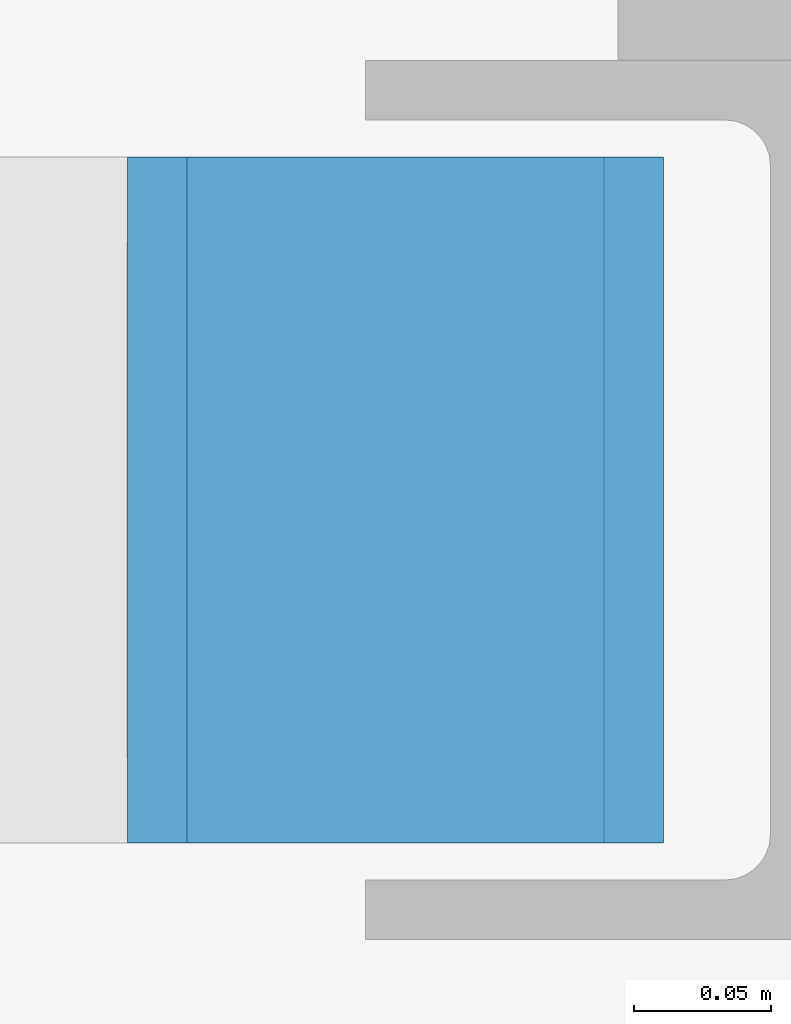
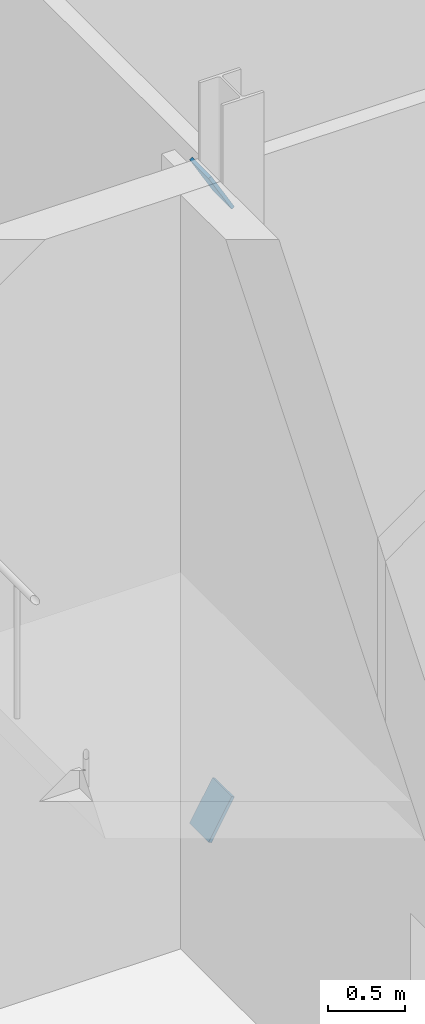
# One storey, part 122 of 139: 2 discrete accessories.
"""IFC4 building model written with IfcOpenShell, lengths in metres."""

from ifc_helpers import new_model, si_unit, direction, frame, origin, place, context, subcontext, project, spatial, polyline, outline, extrude, material, layer, layer_set, type_object, element, save


model = new_model("IFC4")

# Units and contexts
model_context = context("Model", 3, precision=1e-05, world=origin(), true_north=direction((0.0, 1.0)))
body_context = subcontext(model_context, "Body", "Model", "MODEL_VIEW")
ifc_project = project(units=[si_unit("LENGTHUNIT", "METRE"), si_unit("AREAUNIT", "SQUARE_METRE"), si_unit("VOLUMEUNIT", "CUBIC_METRE"), si_unit("PLANEANGLEUNIT", "RADIAN"), si_unit("MASSUNIT", "GRAM", prefix="KILO")], contexts=[model_context])

# Site, building, storey
site_placement = place(None, origin())
site = spatial("IfcSite", under=ifc_project, at=site_placement, CompositionType="ELEMENT")
building_placement = place(site_placement, origin())
building = spatial("IfcBuilding", under=site, at=building_placement, Name="Shorebreak Coast Museum", CompositionType="ELEMENT")
storey_placement = place(building_placement, origin())
storey = spatial("IfcBuildingStorey", under=building, at=storey_placement, Name="L00", CompositionType="ELEMENT", Elevation=0.0)

# Discrete accessories
ifc_material = material(Name="Steel Grade 300", Category="steel")
ifc_layer = layer(ifc_material, 0.02490234375)
ifc_layer_set = layer_set([ifc_layer], Name="Steel Grade 300")
discrete_accessory_type = type_object("IfcDiscreteAccessoryType", Name="End plate 250 x 350 x 25", PredefinedType="BRACKET", material=ifc_layer_set)
for number, where, z_axis, x_axis, name in (
    (1, (62.9541015625, 35.875, 5.135498046875), (0.86789946656, 0.0, 0.496739887613), (0.0, 1.0, 0.0), "End plate X-brace bay 16 L00 diagonal 1 end 2"),
    (2, (62.758544921875, 36.125, 0.148193359375), (-0.86789946656, 0.0, 0.496739887613), (0.0, -1.0, 0.0), "End plate X-brace bay 16 L00 diagonal 2 end 1"),
):
    element("IfcDiscreteAccessory", number, at=place(storey_placement, frame(where, z_axis=z_axis, x_axis=x_axis)), inside=storey, type_object=discrete_accessory_type, Name=name, PredefinedType="BRACKET", context=body_context, shape_type="SweptSolid", body=[
        extrude(outline(polyline([(0.0, 0.0), (0.25, 0.0), (0.25, 0.34993792392100703), (0.0, 0.34993792392100703), (0.0, 0.0)])), origin(), (0.0, 0.0, -1.0), 0.02490234375),
    ])

save(model, "model.ifc")
